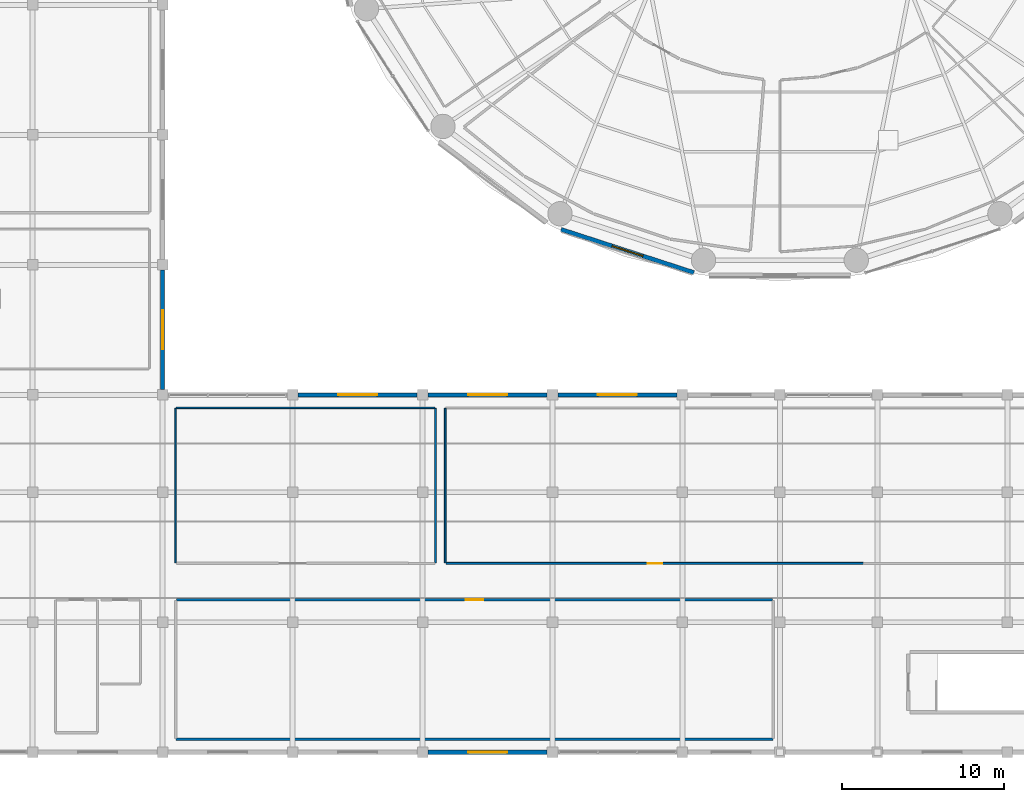
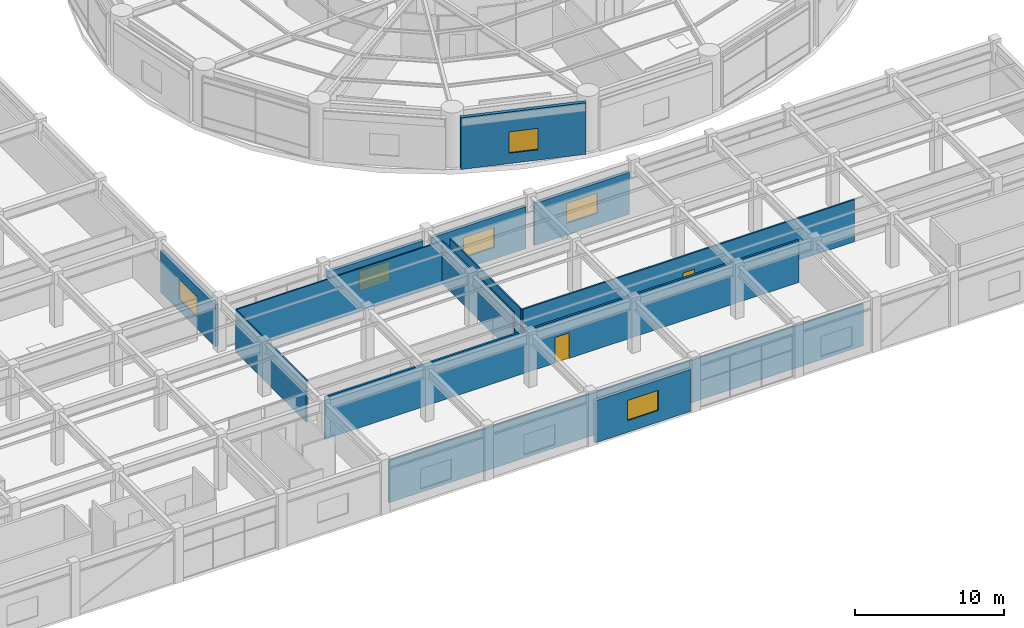
# One storey, part 35 of 46: 13 walls, 6 windows, 2 doors, 8 openings.
"""IFC4 building model written with IfcOpenShell, lengths in metres."""

from ifc_helpers import new_model, si_unit, direction, frame, frame_2d, origin, place, context, subcontext, project, spatial, rectangle, extrude, material, layer, layer_set, type_object, element, fill, save


model = new_model("IFC4")

# Units and contexts
model_context = context("Model", 3, precision=1e-05, world=origin(), true_north=direction((0.0, 1.0)))
body_context = subcontext(model_context, "Body", "Model", "MODEL_VIEW")
ifc_project = project(units=[si_unit("LENGTHUNIT", "METRE"), si_unit("AREAUNIT", "SQUARE_METRE"), si_unit("VOLUMEUNIT", "CUBIC_METRE"), si_unit("PLANEANGLEUNIT", "RADIAN"), si_unit("MASSUNIT", "GRAM", prefix="KILO")], contexts=[model_context])

# Site, building, storey
site_placement = place(None, origin())
site = spatial("IfcSite", under=ifc_project, at=site_placement, CompositionType="ELEMENT")
building_placement = place(site_placement, origin())
building = spatial("IfcBuilding", under=site, at=building_placement, Name="Kelanora Arch Commons", CompositionType="ELEMENT")
storey_placement = place(building_placement, frame((0.0, 0.0, 18.0)))
storey = spatial("IfcBuildingStorey", under=building, at=storey_placement, Name="L04", CompositionType="ELEMENT", Elevation=18.0)

# Wall, opening, door
ifc_material_1 = material(Name="Autoclaved aerated concrete blockwork with fire plaster", Category="masonry")
ifc_layer_1 = layer(ifc_material_1, 0.14990234375)
ifc_layer_set_1 = layer_set([ifc_layer_1], Name="Autoclaved aerated concrete blockwork with fire plaster")
wall_type_1 = type_object("IfcWallType", Name="W-COMP-150", PredefinedType="PARTITIONING", material=ifc_layer_set_1)
wall_1_placement = place(storey_placement, frame((36.860107421875, 13.3798828125, 0.0), z_axis=(0.0, 0.0, 1.0), x_axis=(1.0, 0.0, 0.0)))
wall_1 = element("IfcWall", 1, at=wall_1_placement, inside=storey, type_object=wall_type_1, Name="Market South Archive and Cold Store L04 Entry Partition", PredefinedType="PARTITIONING", context=body_context, shape_type="SweptSolid", body=[
    extrude(rectangle(XDim=36.679931640625, YDim=0.14990234375, at=frame_2d((18.33984375, 0.0))), origin(), (0.0, 0.0, 1.0), 3.445068359375),
])
opening_1_placement = place(wall_1_placement, frame((17.800048828125, 0.0, 0.0)))
opening_1 = element("IfcOpeningElement", 2, at=opening_1_placement, cuts=wall_1, Name="Opening D-PLT1", PredefinedType="OPENING", context=body_context, shape_type="SweptSolid", body=[
    extrude(rectangle(XDim=1.080078125, YDim=2.10009765625, at=frame_2d((0.5400390625, 1.050048828125))), frame((0.0, 0.0849609375, 0.0), z_axis=(0.0, -1.0, 0.0), x_axis=(1.0, 0.0, 0.0)), (0.0, 0.0, 1.0), 0.169921875),
])
ifc_material_2 = material(Name="Galvanised steel plant and riser fire door", Category="steel")
door_type_1 = type_object("IfcDoorType", Name="D-PLT-110", OperationType="NOTDEFINED", PredefinedType="DOOR", material=ifc_material_2)
door_1_placement = place(opening_1_placement, origin())
door_1 = element("IfcDoor", 3, at=door_1_placement, inside=storey, type_object=door_type_1, Name="Market South Archive and Cold Store L04 Door", OperationType="SINGLE_SWING_RIGHT", OverallHeight=2.10009765625, OverallWidth=1.080078125, PredefinedType="DOOR", context=body_context, shape_type="SweptSolid", body=[
    extrude(rectangle(XDim=1.080078125, YDim=2.10009765625, at=frame_2d((0.5400390625, 1.050048828125))), frame((0.0, 0.02490234375, 0.0), z_axis=(0.0, -1.0, 0.0), x_axis=(1.0, 0.0, 0.0)), (0.0, 0.0, 1.0), 0.050048828125),
])
fill(opening_1, door_1)

# Wall
wall_2_placement = place(storey_placement, frame((36.840087890625, 4.800048828125, 0.0), z_axis=(0.0, 0.0, 1.0), x_axis=(1.0, 0.0, 0.0)))
element("IfcWall", 4, at=wall_2_placement, inside=storey, type_object=wall_type_1, Name="Market South Archive and Cold Store L04 Enclosure Partition 1", PredefinedType="PARTITIONING", context=body_context, shape_type="SweptSolid", body=[
    extrude(rectangle(XDim=36.719970703125, YDim=0.14990234375, at=frame_2d((18.35986328125, 0.0))), origin(), (0.0, 0.0, 1.0), 3.445068359375),
])

# Wall, opening, window
ifc_material_3 = material(Name="Precast concrete C40/50 with terracotta ceramic cladding", Category="masonry")
ifc_layer_2 = layer(ifc_material_3, 0.25)
ifc_layer_set_2 = layer_set([ifc_layer_2], Name="Precast concrete C40/50 with terracotta ceramic cladding")
wall_type_2 = type_object("IfcWallType", Name="W-EXT-MKT", PredefinedType="SOLIDWALL", material=ifc_layer_set_2)
wall_3_placement = place(storey_placement, frame((52.330078125, 4.0, 0.0), z_axis=(0.0, 0.0, 1.0), x_axis=(1.0, 0.0, 0.0)))
wall_3 = element("IfcWall", 5, at=wall_3_placement, inside=storey, type_object=wall_type_2, Name="Market Hall Exterior Wall L04-06", PredefinedType="SOLIDWALL", context=body_context, shape_type="SweptSolid", body=[
    extrude(rectangle(XDim=7.33984375, YDim=0.25, at=frame_2d((3.669921875, 0.0))), origin(), (0.0, 0.0, 1.0), 3.43994140625),
])
opening_2_placement = place(wall_3_placement, frame((2.469970703125, 0.0, 0.949951171875)))
opening_2 = element("IfcOpeningElement", 6, at=opening_2_placement, cuts=wall_3, Name="Opening WN-03", PredefinedType="OPENING", context=body_context, shape_type="SweptSolid", body=[
    extrude(rectangle(XDim=2.39990234375, YDim=1.64990234375, at=frame_2d((1.199951171875, 0.824951171875))), frame((0.0, 0.135009765625, 0.0), z_axis=(0.0, -1.0, 0.0), x_axis=(1.0, 0.0, 0.0)), (0.0, 0.0, 1.0), 0.27001953125),
])
ifc_material_4 = material(Name="Bronze-terracotta aluminium monsoon clerestory window", Category="masonry")
window_type_1 = type_object("IfcWindowType", Name="WIN-MKT-24", PartitioningType="TRIPLE_PANEL_VERTICAL", PredefinedType="WINDOW", material=ifc_material_4)
window_1_placement = place(opening_2_placement, origin())
window_1 = element("IfcWindow", 7, at=window_1_placement, inside=storey, type_object=window_type_1, Name="Market Hall Clerestory Window L04-06", OverallHeight=1.64990234375, OverallWidth=2.39990234375, PartitioningType="SINGLE_PANEL", PredefinedType="WINDOW", context=body_context, shape_type="SweptSolid", body=[
    extrude(rectangle(XDim=2.39990234375, YDim=1.64990234375, at=frame_2d((1.199951171875, 0.824951171875))), frame((0.0, 0.030029296875, 0.0), z_axis=(0.0, -1.0, 0.0), x_axis=(1.0, 0.0, 0.0)), (0.0, 0.0, 1.0), 0.06005859375),
])
fill(opening_2, window_1)

wall_4_placement = place(storey_placement, frame((67.669921875, 26.0, 0.0), z_axis=(0.0, 0.0, 1.0), x_axis=(-1.0, 0.0, 0.0)))
wall_4 = element("IfcWall", 8, at=wall_4_placement, inside=storey, type_object=wall_type_2, Name="Market Hall Exterior Wall L04-19", PredefinedType="SOLIDWALL", context=body_context, shape_type="SweptSolid", body=[
    extrude(rectangle(XDim=7.33984375, YDim=0.25, at=frame_2d((3.669921875, 0.0))), origin(), (0.0, 0.0, 1.0), 3.43994140625),
])
opening_3_placement = place(wall_4_placement, frame((2.469970703125, 0.0, 0.949951171875)))
opening_3 = element("IfcOpeningElement", 9, at=opening_3_placement, cuts=wall_4, Name="Opening WN-03", PredefinedType="OPENING", context=body_context, shape_type="SweptSolid", body=[
    extrude(rectangle(XDim=2.39990234375, YDim=1.64990234375, at=frame_2d((1.199951171875, 0.824951171875))), frame((0.0, 0.135009765625, 0.0), z_axis=(0.0, -1.0, 0.0), x_axis=(1.0, 0.0, 0.0)), (0.0, 0.0, 1.0), 0.27001953125),
])
window_2_placement = place(opening_3_placement, origin())
window_2 = element("IfcWindow", 10, at=window_2_placement, inside=storey, type_object=window_type_1, Name="Market Hall Clerestory Window L04-19", OverallHeight=1.64990234375, OverallWidth=2.39990234375, PartitioningType="SINGLE_PANEL", PredefinedType="WINDOW", context=body_context, shape_type="SweptSolid", body=[
    extrude(rectangle(XDim=2.39990234375, YDim=1.64990234375, at=frame_2d((1.199951171875, 0.824951171875))), frame((0.0, 0.030029296875, 0.0), z_axis=(0.0, -1.0, 0.0), x_axis=(1.0, 0.0, 0.0)), (0.0, 0.0, 1.0), 0.06005859375),
])
fill(opening_3, window_2)

wall_5_placement = place(storey_placement, frame((59.669921875, 26.0, 0.0), z_axis=(0.0, 0.0, 1.0), x_axis=(-1.0, 0.0, 0.0)))
wall_5 = element("IfcWall", 11, at=wall_5_placement, inside=storey, type_object=wall_type_2, Name="Market Hall Exterior Wall L04-20", PredefinedType="SOLIDWALL", context=body_context, shape_type="SweptSolid", body=[
    extrude(rectangle(XDim=7.33984375, YDim=0.25, at=frame_2d((3.669921875, 0.0))), origin(), (0.0, 0.0, 1.0), 3.43994140625),
])
opening_4_placement = place(wall_5_placement, frame((2.469970703125, 0.0, 0.949951171875)))
opening_4 = element("IfcOpeningElement", 12, at=opening_4_placement, cuts=wall_5, Name="Opening WN-03", PredefinedType="OPENING", context=body_context, shape_type="SweptSolid", body=[
    extrude(rectangle(XDim=2.39990234375, YDim=1.64990234375, at=frame_2d((1.199951171875, 0.824951171875))), frame((0.0, 0.135009765625, 0.0), z_axis=(0.0, -1.0, 0.0), x_axis=(1.0, 0.0, 0.0)), (0.0, 0.0, 1.0), 0.27001953125),
])
window_3_placement = place(opening_4_placement, origin())
window_3 = element("IfcWindow", 13, at=window_3_placement, inside=storey, type_object=window_type_1, Name="Market Hall Clerestory Window L04-20", OverallHeight=1.64990234375, OverallWidth=2.39990234375, PartitioningType="SINGLE_PANEL", PredefinedType="WINDOW", context=body_context, shape_type="SweptSolid", body=[
    extrude(rectangle(XDim=2.39990234375, YDim=1.64990234375, at=frame_2d((1.199951171875, 0.824951171875))), frame((0.0, 0.030029296875, 0.0), z_axis=(0.0, -1.0, 0.0), x_axis=(1.0, 0.0, 0.0)), (0.0, 0.0, 1.0), 0.06005859375),
])
fill(opening_4, window_3)

wall_6_placement = place(storey_placement, frame((51.669921875, 26.0, 0.0), z_axis=(0.0, 0.0, 1.0), x_axis=(-1.0, 0.0, 0.0)))
wall_6 = element("IfcWall", 14, at=wall_6_placement, inside=storey, type_object=wall_type_2, Name="Market Hall Exterior Wall L04-21", PredefinedType="SOLIDWALL", context=body_context, shape_type="SweptSolid", body=[
    extrude(rectangle(XDim=7.33984375, YDim=0.25, at=frame_2d((3.669921875, 0.0))), origin(), (0.0, 0.0, 1.0), 3.43994140625),
])
opening_5_placement = place(wall_6_placement, frame((2.469970703125, 0.0, 0.949951171875)))
opening_5 = element("IfcOpeningElement", 15, at=opening_5_placement, cuts=wall_6, Name="Opening WN-03", PredefinedType="OPENING", context=body_context, shape_type="SweptSolid", body=[
    extrude(rectangle(XDim=2.39990234375, YDim=1.64990234375, at=frame_2d((1.199951171875, 0.824951171875))), frame((0.0, 0.135009765625, 0.0), z_axis=(0.0, -1.0, 0.0), x_axis=(1.0, 0.0, 0.0)), (0.0, 0.0, 1.0), 0.27001953125),
])
window_4_placement = place(opening_5_placement, origin())
window_4 = element("IfcWindow", 16, at=window_4_placement, inside=storey, type_object=window_type_1, Name="Market Hall Clerestory Window L04-21", OverallHeight=1.64990234375, OverallWidth=2.39990234375, PartitioningType="SINGLE_PANEL", PredefinedType="WINDOW", context=body_context, shape_type="SweptSolid", body=[
    extrude(rectangle(XDim=2.39990234375, YDim=1.64990234375, at=frame_2d((1.199951171875, 0.824951171875))), frame((0.0, 0.030029296875, 0.0), z_axis=(0.0, -1.0, 0.0), x_axis=(1.0, 0.0, 0.0)), (0.0, 0.0, 1.0), 0.06005859375),
])
fill(opening_5, window_4)

wall_7_placement = place(storey_placement, frame((36.0, 26.330078125, 0.0), z_axis=(0.0, 0.0, 1.0), x_axis=(0.0, 1.0, 0.0)))
wall_7 = element("IfcWall", 17, at=wall_7_placement, inside=storey, type_object=wall_type_2, Name="Market Hall Exterior Wall L04-23", PredefinedType="SOLIDWALL", context=body_context, shape_type="SweptSolid", body=[
    extrude(rectangle(XDim=7.33984375, YDim=0.25, at=frame_2d((3.669921875, 0.0))), origin(), (0.0, 0.0, 1.0), 3.43994140625),
])
opening_6_placement = place(wall_7_placement, frame((2.469970703125, 0.0, 0.949951171875)))
opening_6 = element("IfcOpeningElement", 18, at=opening_6_placement, cuts=wall_7, Name="Opening WN-03", PredefinedType="OPENING", context=body_context, shape_type="SweptSolid", body=[
    extrude(rectangle(XDim=2.39990234375, YDim=1.64990234375, at=frame_2d((1.199951171875, 0.824951171875))), frame((0.0, 0.135009765625, 0.0), z_axis=(0.0, -1.0, 0.0), x_axis=(1.0, 0.0, 0.0)), (0.0, 0.0, 1.0), 0.27001953125),
])
window_5_placement = place(opening_6_placement, origin())
window_5 = element("IfcWindow", 19, at=window_5_placement, inside=storey, type_object=window_type_1, Name="Market Hall Clerestory Window L04-23", OverallHeight=1.64990234375, OverallWidth=2.39990234375, PartitioningType="SINGLE_PANEL", PredefinedType="WINDOW", context=body_context, shape_type="SweptSolid", body=[
    extrude(rectangle(XDim=2.39990234375, YDim=1.64990234375, at=frame_2d((1.199951171875, 0.824951171875))), frame((0.0, 0.030029296875, 0.0), z_axis=(0.0, -1.0, 0.0), x_axis=(1.0, 0.0, 0.0)), (0.0, 0.0, 1.0), 0.06005859375),
])
fill(opening_6, window_5)

ifc_material_5 = material(Name="Precast concrete C40/50 with terracotta rainscreen", Category="masonry")
ifc_layer_3 = layer(ifc_material_5, 0.260009765625)
ifc_layer_set_3 = layer_set([ifc_layer_3], Name="Precast concrete C40/50 with terracotta rainscreen")
wall_type_3 = type_object("IfcWallType", Name="W-EXT-TC", PredefinedType="SOLIDWALL", material=ifc_layer_set_3)
wall_8_placement = place(storey_placement, frame((60.5263671875, 36.178466796875, 0.0), z_axis=(0.0, 0.0, 1.0), x_axis=(0.951039914291, -0.309068085421, 0.0)))
wall_8 = element("IfcWall", 20, at=wall_8_placement, inside=storey, type_object=wall_type_3, Name="Terracotta Exterior Wall L04-B12", PredefinedType="SOLIDWALL", context=body_context, shape_type="SweptSolid", body=[
    extrude(rectangle(XDim=8.593505859375, YDim=0.260009765625, at=frame_2d((4.296875, 0.0))), origin(), (0.0, 0.0, 1.0), 4.22509765625),
])
opening_7_placement = place(wall_8_placement, frame((3.297119140625, 0.0, 0.85009765625)))
opening_7 = element("IfcOpeningElement", 21, at=opening_7_placement, cuts=wall_8, Name="Opening WN-05", PredefinedType="OPENING", context=body_context, shape_type="SweptSolid", body=[
    extrude(rectangle(XDim=2.0, YDim=1.75, at=frame_2d((1.0, 0.875))), frame((0.0, 0.14013671875, 0.0), z_axis=(0.0, -1.0, 0.0), x_axis=(1.0, 0.0, 0.0)), (0.0, 0.0, 1.0), 0.280029296875),
])
ifc_material_6 = material(Name="Terracotta-anodised aluminium podium window", Category="masonry")
window_type_2 = type_object("IfcWindowType", Name="WIN-POD-20", PartitioningType="TRIPLE_PANEL_VERTICAL", PredefinedType="WINDOW", material=ifc_material_6)
window_6_placement = place(opening_7_placement, origin())
window_6 = element("IfcWindow", 22, at=window_6_placement, inside=storey, type_object=window_type_2, Name="Podium Window L04-B12", OverallHeight=1.75, OverallWidth=2.0, PartitioningType="SINGLE_PANEL", PredefinedType="WINDOW", context=body_context, shape_type="SweptSolid", body=[
    extrude(rectangle(XDim=2.0, YDim=1.75, at=frame_2d((1.0, 0.875))), frame((0.0, 0.030029296875, 0.0), z_axis=(0.0, -1.0, 0.0), x_axis=(1.0, 0.0, 0.0)), (0.0, 0.0, 1.0), 0.06005859375),
])
fill(opening_7, window_6)

# Walls
ifc_material_7 = material(Name="Lightweight fire-rated acoustic stud partition")
ifc_layer_4 = layer(ifc_material_7, 0.10009765625)
ifc_layer_set_4 = layer_set([ifc_layer_4], Name="Lightweight fire-rated acoustic stud partition")
wall_type_4 = type_object("IfcWallType", Name="W-PART-100", PredefinedType="PARTITIONING", material=ifc_layer_set_4)
wall_9_placement = place(storey_placement, frame((52.800048828125, 15.659912109375, 0.0), z_axis=(0.0, 0.0, 1.0), x_axis=(0.0, 1.0, 0.0)))
element("IfcWall", 23, at=wall_9_placement, inside=storey, type_object=wall_type_4, Name="Civic Exhibition and Lecture Hall Enclosure Partition 2", PredefinedType="PARTITIONING", context=body_context, shape_type="SweptSolid", body=[
    extrude(rectangle(XDim=9.5, YDim=0.10009765625, at=frame_2d((4.75, 0.0))), origin(), (0.0, 0.0, 1.0), 3.445068359375),
])
wall_10_placement = place(storey_placement, frame((52.760009765625, 25.199951171875, 0.0), z_axis=(0.0, 0.0, 1.0), x_axis=(-1.0, 0.0, 0.0)))
element("IfcWall", 24, at=wall_10_placement, inside=storey, type_object=wall_type_4, Name="Civic Exhibition and Lecture Hall Enclosure Partition 3", PredefinedType="PARTITIONING", context=body_context, shape_type="SweptSolid", body=[
    extrude(rectangle(XDim=15.919921875, YDim=0.10009765625, at=frame_2d((7.9599609375, 0.0))), origin(), (0.0, 0.0, 1.0), 3.445068359375),
])
for number, where, z_axis, x_axis, name in (
    (25, (36.800048828125, 25.159912109375, 0.0), (0.0, 0.0, 1.0), (0.0, -1.0, 0.0), "Civic Exhibition and Lecture Hall Enclosure Partition 4"),
    (26, (53.39990234375, 25.159912109375, 0.0), (0.0, 0.0, 1.0), (0.0, -1.0, 0.0), "Market Cooperative Administration Office L04 Enclosure Partition 4"),
):
    element("IfcWall", number, at=place(storey_placement, frame(where, z_axis=z_axis, x_axis=x_axis)), inside=storey, type_object=wall_type_4, Name=name, PredefinedType="PARTITIONING", context=body_context, shape_type="SweptSolid", body=[
        extrude(rectangle(XDim=9.5, YDim=0.10009765625, at=frame_2d((4.75, 0.0))), origin(), (0.0, 0.0, 1.0), 3.445068359375),
    ])

# Wall, opening, door
ifc_material_8 = material(Name="Acoustic twin-stud fire-rated gypsum partition")
ifc_layer_5 = layer(ifc_material_8, 0.1201171875)
ifc_layer_set_5 = layer_set([ifc_layer_5], Name="Acoustic twin-stud fire-rated gypsum partition")
wall_type_5 = type_object("IfcWallType", Name="W-PART-120", PredefinedType="PARTITIONING", material=ifc_layer_set_5)
wall_11_placement = place(storey_placement, frame((53.4599609375, 15.6201171875, 0.0), z_axis=(0.0, 0.0, 1.0), x_axis=(1.0, 0.0, 0.0)))
wall_11 = element("IfcWall", 27, at=wall_11_placement, inside=storey, type_object=wall_type_5, Name="Market Cooperative Administration Office L04 Entry Partition", PredefinedType="PARTITIONING", context=body_context, shape_type="SweptSolid", body=[
    extrude(rectangle(XDim=25.679931640625, YDim=0.1201171875, at=frame_2d((12.83984375, 0.0))), origin(), (0.0, 0.0, 1.0), 3.445068359375),
])
opening_8_placement = place(wall_11_placement, frame((12.389892578125, 0.0, 0.0)))
opening_8 = element("IfcOpeningElement", 28, at=opening_8_placement, cuts=wall_11, Name="Opening D-RM1", PredefinedType="OPENING", context=body_context, shape_type="SweptSolid", body=[
    extrude(rectangle(XDim=0.89990234375, YDim=2.080078125, at=frame_2d((0.449951171875, 1.0400390625))), frame((0.0, 0.070068359375, 0.0), z_axis=(0.0, -1.0, 0.0), x_axis=(1.0, 0.0, 0.0)), (0.0, 0.0, 1.0), 0.14013671875),
])
ifc_material_9 = material(Name="Acoustic fire-rated timber study and lounge door", Category="wood")
door_type_2 = type_object("IfcDoorType", Name="D-ROOM-90", OperationType="NOTDEFINED", PredefinedType="DOOR", material=ifc_material_9)
door_2_placement = place(opening_8_placement, origin())
door_2 = element("IfcDoor", 29, at=door_2_placement, inside=storey, type_object=door_type_2, Name="Market Cooperative Administration Office L04 Door", OperationType="SINGLE_SWING_LEFT", OverallHeight=2.080078125, OverallWidth=0.89990234375, PredefinedType="DOOR", context=body_context, shape_type="SweptSolid", body=[
    extrude(rectangle(XDim=0.89990234375, YDim=2.080078125, at=frame_2d((0.449951171875, 1.0400390625))), frame((0.0, 0.02490234375, 0.0), z_axis=(0.0, -1.0, 0.0), x_axis=(1.0, 0.0, 0.0)), (0.0, 0.0, 1.0), 0.050048828125),
])
fill(opening_8, door_2)

save(model, "model.ifc")
